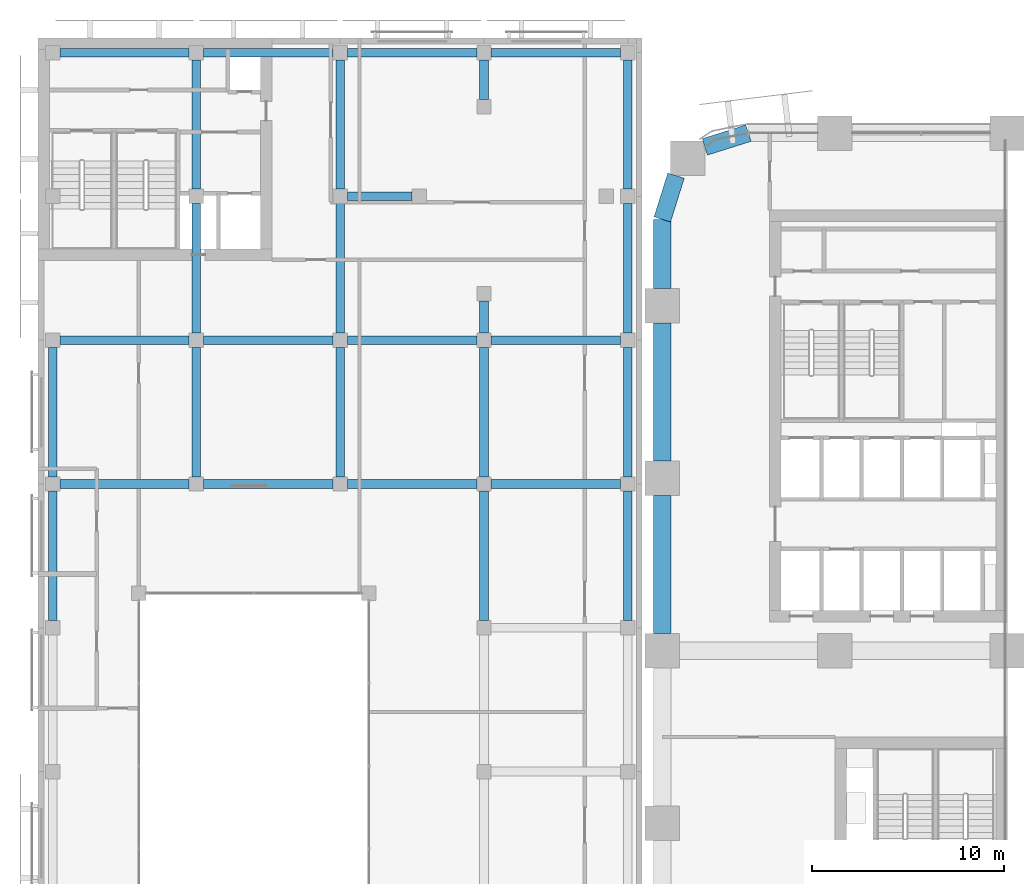
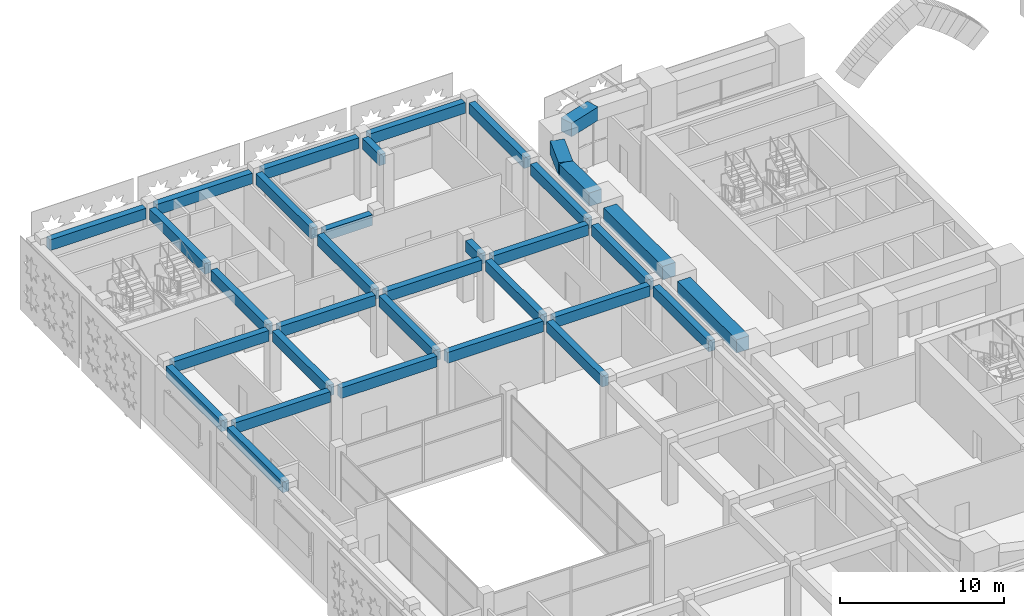
# One storey, part 7 of 40: 34 beams.
"""IFC4 building model written with IfcOpenShell, lengths in metres."""

from ifc_helpers import new_model, si_unit, direction, frame, origin, origin_2d, place, context, subcontext, project, spatial, rectangle, extrude, material, material_profile, profile_set, type_object, element, save


model = new_model("IFC4")

# Units and contexts
model_context = context("Model", 3, precision=1e-05, world=origin(), true_north=direction((0.0, 1.0)))
body_context = subcontext(model_context, "Body", "Model", "MODEL_VIEW")
ifc_project = project(units=[si_unit("LENGTHUNIT", "METRE"), si_unit("AREAUNIT", "SQUARE_METRE"), si_unit("VOLUMEUNIT", "CUBIC_METRE"), si_unit("PLANEANGLEUNIT", "RADIAN"), si_unit("MASSUNIT", "GRAM", prefix="KILO")], contexts=[model_context])

# Site, building, storey
site_placement = place(None, origin())
site = spatial("IfcSite", under=ifc_project, at=site_placement, CompositionType="ELEMENT")
building_placement = place(site_placement, origin())
building = spatial("IfcBuilding", under=site, at=building_placement, Name="Tessera Arch", CompositionType="ELEMENT")
storey_placement = place(building_placement, frame((0.0, 0.0, 21.0)))
storey = spatial("IfcBuildingStorey", under=building, at=storey_placement, Name="L03", CompositionType="ELEMENT", Elevation=21.0)

# Beams
ifc_material_1 = material(Name="Concrete C40/50", Category="concrete")
ifc_material_profile_1 = material_profile(ifc_material_1, rectangle(XDim=0.449951171875, YDim=0.800048828125, at=origin_2d()), Name="Museum beam 450 x 800 Concrete C40/50")
ifc_profile_set_1 = profile_set([ifc_material_profile_1], Name="Concrete C40/50")
beam_type_1 = type_object("IfcBeamType", Name="Museum beam 450 x 800 Concrete C40/50", PredefinedType="BEAM", material=ifc_profile_set_1)
for number, where, z_axis, x_axis, name in (
    (1, (-31.800048828125, 28.574951171875, 4.18994140625), (0.0, 1.0, 0.0), (-1.0, 0.0, 0.0), "Museum beam L03 8"),
    (2, (-31.800048828125, 36.074951171875, 4.18994140625), (0.0, 1.0, 0.0), (-1.0, 0.0, 0.0), "Museum beam L03 9"),
    (3, (-24.300048828125, 36.074951171875, 4.18994140625), (0.0, 1.0, 0.0), (-1.0, 0.0, 0.0), "Museum beam L03 13"),
    (4, (-24.300048828125, 43.574951171875, 4.18994140625), (0.0, 1.0, 0.0), (-1.0, 0.0, 0.0), "Museum beam L03 14"),
    (5, (-24.300048828125, 51.074951171875, 4.18994140625), (0.0, 1.0, 0.0), (-1.0, 0.0, 0.0), "Museum beam L03 15"),
    (6, (-16.800048828125, 36.074951171875, 4.18994140625), (0.0, 1.0, 0.0), (-1.0, 0.0, 0.0), "Museum beam L03 18"),
    (7, (-16.800048828125, 43.574951171875, 4.18994140625), (0.0, 1.0, 0.0), (-1.0, 0.0, 0.0), "Museum beam L03 19"),
    (8, (-16.800048828125, 51.074951171875, 4.18994140625), (0.0, 1.0, 0.0), (-1.0, 0.0, 0.0), "Museum beam L03 20"),
    (9, (-9.300048828125, 28.574951171875, 4.18994140625), (0.0, 1.0, 0.0), (-1.0, 0.0, 0.0), "Museum beam L03 30"),
    (10, (-9.300048828125, 36.074951171875, 4.18994140625), (0.0, 1.0, 0.0), (-1.0, 0.0, 0.0), "Museum beam L03 31"),
):
    element("IfcBeam", number, at=place(storey_placement, frame(where, z_axis=z_axis, x_axis=x_axis)), inside=storey, type_object=beam_type_1, Name=name, PredefinedType="BEAM", context=body_context, shape_type="SweptSolid", body=[
        extrude(rectangle(XDim=0.449951171875, YDim=0.800048828125, at=origin_2d()), origin(), (0.0, 0.0, 1.0), 6.75),
    ])
beam_1_placement = place(storey_placement, frame((-9.300048828125, 43.574951171875, 4.18994140625), z_axis=(0.0, 1.0, 0.0), x_axis=(-1.0, 0.0, 0.0)))
element("IfcBeam", 11, at=beam_1_placement, inside=storey, type_object=beam_type_1, Name="Museum beam L03 32", PredefinedType="BEAM", context=body_context, shape_type="SweptSolid", body=[
    extrude(rectangle(XDim=0.449951171875, YDim=0.800048828125, at=origin_2d()), origin(), (0.0, 0.0, 1.0), 1.675048828125),
])
beam_2_placement = place(storey_placement, frame((-9.300048828125, 55.75, 4.18994140625), z_axis=(0.0, 1.0, 0.0), x_axis=(-1.0, 0.0, 0.0)))
element("IfcBeam", 12, at=beam_2_placement, inside=storey, type_object=beam_type_1, Name="Museum beam L03 33", PredefinedType="BEAM", context=body_context, shape_type="SweptSolid", body=[
    extrude(rectangle(XDim=0.449951171875, YDim=0.800048828125, at=origin_2d()), origin(), (0.0, 0.0, 1.0), 2.074951171875),
])
for number, where, z_axis, x_axis, name in (
    (13, (-1.800048828125, 28.574951171875, 4.18994140625), (0.0, 1.0, 0.0), (-1.0, 0.0, 0.0), "Museum beam L03 42"),
    (14, (-1.800048828125, 36.074951171875, 4.18994140625), (0.0, 1.0, 0.0), (-1.0, 0.0, 0.0), "Museum beam L03 43"),
    (15, (-1.800048828125, 43.574951171875, 4.18994140625), (0.0, 1.0, 0.0), (-1.0, 0.0, 0.0), "Museum beam L03 44"),
    (16, (-1.800048828125, 51.074951171875, 4.18994140625), (0.0, 1.0, 0.0), (-1.0, 0.0, 0.0), "Museum beam L03 45"),
    (17, (-31.425048828125, 35.699951171875, 4.18994140625), (1.0, 0.0, 0.0), (0.0, 1.0, 0.0), "Museum beam L03 76"),
    (18, (-23.925048828125, 35.699951171875, 4.18994140625), (1.0, 0.0, 0.0), (0.0, 1.0, 0.0), "Museum beam L03 77"),
    (19, (-16.425048828125, 35.699951171875, 4.18994140625), (1.0, 0.0, 0.0), (0.0, 1.0, 0.0), "Museum beam L03 78"),
    (20, (-8.925048828125, 35.699951171875, 4.18994140625), (1.0, 0.0, 0.0), (0.0, 1.0, 0.0), "Museum beam L03 79"),
    (21, (-31.425048828125, 43.199951171875, 4.18994140625), (1.0, 0.0, 0.0), (0.0, 1.0, 0.0), "Museum beam L03 80"),
    (22, (-23.925048828125, 43.199951171875, 4.18994140625), (1.0, 0.0, 0.0), (0.0, 1.0, 0.0), "Museum beam L03 81"),
    (23, (-16.425048828125, 43.199951171875, 4.18994140625), (1.0, 0.0, 0.0), (0.0, 1.0, 0.0), "Museum beam L03 82"),
    (24, (-8.925048828125, 43.199951171875, 4.18994140625), (1.0, 0.0, 0.0), (0.0, 1.0, 0.0), "Museum beam L03 83"),
):
    element("IfcBeam", number, at=place(storey_placement, frame(where, z_axis=z_axis, x_axis=x_axis)), inside=storey, type_object=beam_type_1, Name=name, PredefinedType="BEAM", context=body_context, shape_type="SweptSolid", body=[
        extrude(rectangle(XDim=0.449951171875, YDim=0.800048828125, at=origin_2d()), origin(), (0.0, 0.0, 1.0), 6.75),
    ])
beam_3_placement = place(storey_placement, frame((-16.425048828125, 50.699951171875, 4.18994140625), z_axis=(1.0, 0.0, 0.0), x_axis=(0.0, 1.0, 0.0)))
element("IfcBeam", 25, at=beam_3_placement, inside=storey, type_object=beam_type_1, Name="Museum beam L03 84", PredefinedType="BEAM", context=body_context, shape_type="SweptSolid", body=[
    extrude(rectangle(XDim=0.449951171875, YDim=0.800048828125, at=origin_2d()), origin(), (0.0, 0.0, 1.0), 3.375),
])
for number, where, z_axis, x_axis, name in (
    (26, (-31.425048828125, 58.199951171875, 4.18994140625), (1.0, 0.0, 0.0), (0.0, 1.0, 0.0), "Museum beam L03 85"),
    (27, (-23.925048828125, 58.199951171875, 4.18994140625), (1.0, 0.0, 0.0), (0.0, 1.0, 0.0), "Museum beam L03 86"),
    (28, (-16.425048828125, 58.199951171875, 4.18994140625), (1.0, 0.0, 0.0), (0.0, 1.0, 0.0), "Museum beam L03 87"),
    (29, (-8.925048828125, 58.199951171875, 4.18994140625), (1.0, 0.0, 0.0), (0.0, 1.0, 0.0), "Museum beam L03 88"),
):
    element("IfcBeam", number, at=place(storey_placement, frame(where, z_axis=z_axis, x_axis=x_axis)), inside=storey, type_object=beam_type_1, Name=name, PredefinedType="BEAM", context=body_context, shape_type="SweptSolid", body=[
        extrude(rectangle(XDim=0.449951171875, YDim=0.800048828125, at=origin_2d()), origin(), (0.0, 0.0, 1.0), 6.75),
    ])
ifc_material_2 = material(Name="Concrete C80/95", Category="concrete")
ifc_material_profile_2 = material_profile(ifc_material_2, rectangle(XDim=0.89990234375, YDim=1.0, at=origin_2d()), Name="RC spandrel beam 900 x 1000 Concrete C80/95")
ifc_profile_set_2 = profile_set([ifc_material_profile_2], Name="Concrete C80/95")
beam_type_2 = type_object("IfcBeamType", Name="RC spandrel beam 900 x 1000 Concrete C80/95", PredefinedType="BEAM", material=ifc_profile_set_2)
for number, where, z_axis, x_axis, name in (
    (30, (4.5, 54.0, 4.050048828125), (-0.954041251279, -0.299675309057, 0.0), (0.299675309057, -0.954041251279, 0.0), "Spandrel beam L03 N54.0/1.2"),
    (31, (0.716796875, 51.781982421875, 4.050048828125), (-0.299675309057, -0.954041251279, 0.0), (0.954041251279, -0.299675309057, 0.0), "Spandrel beam L03 W0.0/0.1"),
):
    element("IfcBeam", number, at=place(storey_placement, frame(where, z_axis=z_axis, x_axis=x_axis)), inside=storey, type_object=beam_type_2, Name=name, PredefinedType="BEAM", context=body_context, shape_type="SweptSolid", body=[
        extrude(rectangle(XDim=0.89990234375, YDim=1.0, at=origin_2d()), origin(), (0.0, 0.0, 1.0), 2.391845703125),
    ])
beam_4_placement = place(storey_placement, frame((0.0, 49.5, 4.050048828125), z_axis=(0.0, -1.0, 0.0), x_axis=(1.0, 0.0, 0.0)))
element("IfcBeam", 32, at=beam_4_placement, inside=storey, type_object=beam_type_2, Name="Spandrel beam L03 W0.0/0.2", PredefinedType="BEAM", context=body_context, shape_type="SweptSolid", body=[
    extrude(rectangle(XDim=0.89990234375, YDim=1.0, at=origin_2d()), origin(), (0.0, 0.0, 1.0), 3.60009765625),
])
for number, where, z_axis, x_axis, name in (
    (33, (0.0, 44.10009765625, 4.050048828125), (0.0, -1.0, 0.0), (1.0, 0.0, 0.0), "Spandrel beam L03 W0.0/1"),
    (34, (0.0, 35.10009765625, 4.050048828125), (0.0, -1.0, 0.0), (1.0, 0.0, 0.0), "Spandrel beam L03 W0.0/2"),
):
    element("IfcBeam", number, at=place(storey_placement, frame(where, z_axis=z_axis, x_axis=x_axis)), inside=storey, type_object=beam_type_2, Name=name, PredefinedType="BEAM", context=body_context, shape_type="SweptSolid", body=[
        extrude(rectangle(XDim=0.89990234375, YDim=1.0, at=origin_2d()), origin(), (0.0, 0.0, 1.0), 7.2001953125),
    ])

save(model, "model.ifc")
